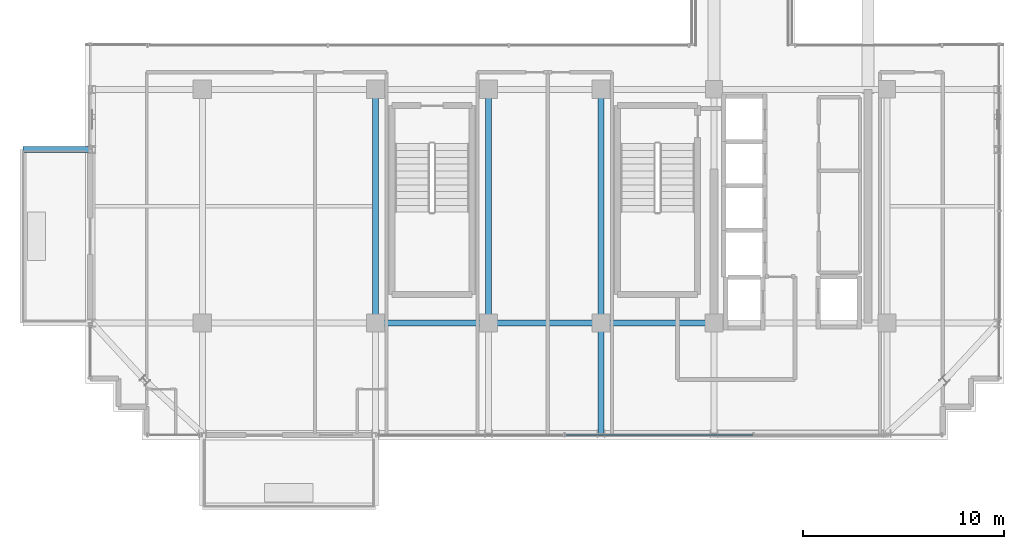
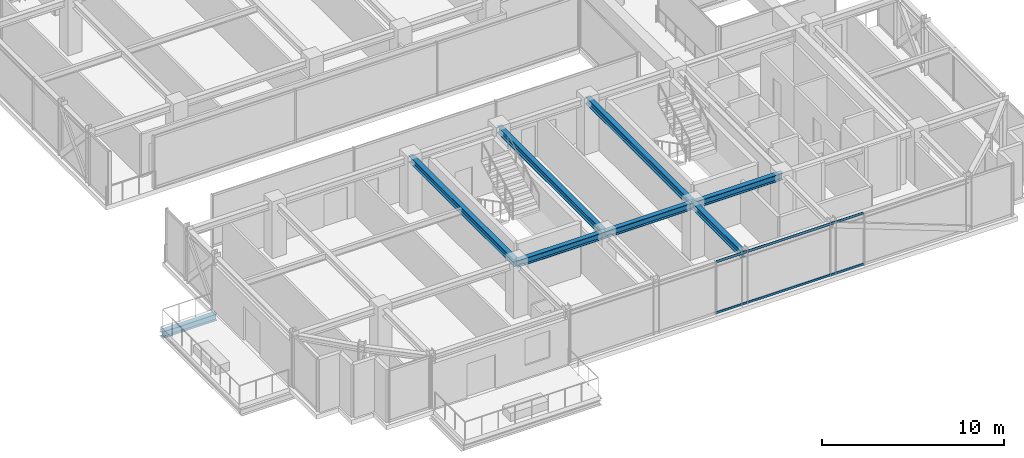
# One storey, part 8 of 37: 8 beams, 2 members, 1 element without a shape of its own.
"""IFC4 building model written with IfcOpenShell, lengths in metres."""

from ifc_helpers import new_model, si_unit, direction, frame, origin, origin_2d, place, context, subcontext, project, spatial, hollow_rectangle, i_section, extrude, source, transform, mapped, material, material_profile, profile_set, type_object, element, aggregate, save


model = new_model("IFC4")

# Units and contexts
model_context = context("Model", 3, precision=1e-05, world=origin(), true_north=direction((0.0, 1.0)))
body_context = subcontext(model_context, "Body", "Model", "MODEL_VIEW")
ifc_project = project(units=[si_unit("LENGTHUNIT", "METRE"), si_unit("AREAUNIT", "SQUARE_METRE"), si_unit("VOLUMEUNIT", "CUBIC_METRE"), si_unit("PLANEANGLEUNIT", "RADIAN"), si_unit("MASSUNIT", "GRAM", prefix="KILO")], contexts=[model_context])

# Site, building, storey
site_placement = place(None, origin())
site = spatial("IfcSite", under=ifc_project, at=site_placement, CompositionType="ELEMENT")
building_placement = place(site_placement, origin())
building = spatial("IfcBuilding", under=site, at=building_placement, Name="Nahalor Promenade Grand Hotel", CompositionType="ELEMENT")
storey_placement = place(building_placement, frame((0.0, 0.0, 292.64990234375)))
storey = spatial("IfcBuildingStorey", under=building, at=storey_placement, Name="L75", CompositionType="ELEMENT", Elevation=292.64990234375)

# Beams
ifc_material_1 = material(Name="Steel S355JR", Category="steel")
ifc_material_profile_1 = material_profile(ifc_material_1, i_section(OverallWidth=0.3, OverallDepth=0.45, WebThickness=0.014, FlangeThickness=0.026, at=origin_2d()), Name="HEB 450")
ifc_profile_set_1 = profile_set([ifc_material_profile_1], Name="Steel S355JR")
beam_type_1 = type_object("IfcBeamType", Name="Beam-Outrigger-HEB450", PredefinedType="BEAM", material=ifc_profile_set_1)
shared_shape_1 = source(origin(), body_context, "Body", "SweptSolid", [
    extrude(i_section(OverallWidth=0.3, OverallDepth=0.45, WebThickness=0.014, FlangeThickness=0.026, at=origin_2d()), origin(), (0.0, 0.0, 1.0), 3.419921875),
])
beam_1_placement = place(storey_placement, frame((-25.89990234375, -8.39990234375, -0.5048828125), z_axis=(1.0, 0.0, 0.0), x_axis=(0.0, 1.0, 0.0)))
element("IfcBeam", 1, at=beam_1_placement, inside=storey, type_object=beam_type_1, Name="BM-L75-BC-02-2", PredefinedType="BEAM", context=body_context, shape_type="MappedRepresentation", body=[
    mapped(shared_shape_1, transform((0.0, 0.0, 0.0), scale=1.0)),
])
ifc_material_profile_2 = material_profile(ifc_material_1, i_section(OverallWidth=0.3, OverallDepth=0.45, WebThickness=0.014, FlangeThickness=0.026, at=origin_2d()), Name="HEB 450")
ifc_profile_set_2 = profile_set([ifc_material_profile_2], Name="Steel S355JR")
beam_type_2 = type_object("IfcBeamType", Name="Beam-Girder-HEB450", PredefinedType="BEAM", material=ifc_profile_set_2)
shared_shape_2 = source(origin(), body_context, "Body", "SweptSolid", [
    extrude(i_section(OverallWidth=0.3, OverallDepth=0.45, WebThickness=0.014, FlangeThickness=0.026, at=origin_2d()), origin(), (0.0, 0.0, 1.0), 5.599853515625),
])
for number, where, z_axis, x_axis, name in (
    (2, (-8.39990234375, -17.0, 3.3251953125), (1.0, 0.0, 0.0), (0.0, 1.0, 0.0), "BM-L75-GX-0-2"),
    (3, (2.800048828125, -17.0, 3.3251953125), (1.0, 0.0, 0.0), (0.0, 1.0, 0.0), "BM-L75-GX-0-4"),
):
    element("IfcBeam", number, at=place(storey_placement, frame(where, z_axis=z_axis, x_axis=x_axis)), inside=storey, type_object=beam_type_2, Name=name, PredefinedType="BEAM", context=body_context, shape_type="MappedRepresentation", body=[
        mapped(shared_shape_2, transform((0.0, 0.0, 0.0), scale=1.0)),
    ])
shared_shape_3 = source(origin(), body_context, "Body", "SweptSolid", [
    extrude(i_section(OverallWidth=0.3, OverallDepth=0.45, WebThickness=0.014, FlangeThickness=0.026, at=origin_2d()), origin(), (0.0, 0.0, 1.0), 5.60009765625),
])
beam_2_placement = place(storey_placement, frame((-2.800048828125, -17.0, 3.3251953125), z_axis=(1.0, 0.0, 0.0), x_axis=(0.0, 1.0, 0.0)))
element("IfcBeam", 4, at=beam_2_placement, inside=storey, type_object=beam_type_2, Name="BM-L75-GX-0-3", PredefinedType="BEAM", context=body_context, shape_type="MappedRepresentation", body=[
    mapped(shared_shape_3, transform((0.0, 0.0, 0.0), scale=1.0)),
])
shared_shape_4 = source(origin(), body_context, "Body", "SweptSolid", [
    extrude(i_section(OverallWidth=0.3, OverallDepth=0.45, WebThickness=0.014, FlangeThickness=0.026, at=origin_2d()), origin(), (0.0, 0.0, 1.0), 11.60009765625),
])
for number, where, z_axis, x_axis, name in (
    (5, (-8.39990234375, -17.0, 3.3251953125), (0.0, 1.0, 0.0), (-1.0, 0.0, 0.0), "BM-L75-GY-1-1"),
    (6, (-2.800048828125, -17.0, 3.3251953125), (0.0, 1.0, 0.0), (-1.0, 0.0, 0.0), "BM-L75-GY-2-1"),
    (7, (2.800048828125, -17.0, 3.3251953125), (0.0, 1.0, 0.0), (-1.0, 0.0, 0.0), "BM-L75-GY-3-1"),
):
    element("IfcBeam", number, at=place(storey_placement, frame(where, z_axis=z_axis, x_axis=x_axis)), inside=storey, type_object=beam_type_2, Name=name, PredefinedType="BEAM", context=body_context, shape_type="MappedRepresentation", body=[
        mapped(shared_shape_4, transform((0.0, 0.0, 0.0), scale=1.0)),
    ])
shared_shape_5 = source(origin(), body_context, "Body", "SweptSolid", [
    extrude(i_section(OverallWidth=0.3, OverallDepth=0.45, WebThickness=0.014, FlangeThickness=0.026, at=origin_2d()), origin(), (0.0, 0.0, 1.0), 5.47998046875),
])
beam_3_placement = place(storey_placement, frame((2.800048828125, -22.47998046875, 3.3251953125), z_axis=(0.0, 1.0, 0.0), x_axis=(-1.0, 0.0, 0.0)))
element("IfcBeam", 8, at=beam_3_placement, inside=storey, type_object=beam_type_2, Name="BM-L75-GY-3-0", PredefinedType="BEAM", context=body_context, shape_type="MappedRepresentation", body=[
    mapped(shared_shape_5, transform((0.0, 0.0, 0.0), scale=1.0)),
])

# Curtain wall, members
ifc_material_2 = material(Name="Anodised Bronze Aluminium EN AW-6063 T6", Category="aluminium")
curtain_wall_type = type_object("IfcCurtainWallType", Name="CW3 Elliptical-Void Collar Unitised Curtain Wall", PredefinedType="USERDEFINED", material=ifc_material_2)
curtain_wall_placement = place(storey_placement, origin())
curtain_wall = element("IfcCurtainWall", 9, at=curtain_wall_placement, inside=storey, type_object=curtain_wall_type, Name="L75 Curtain Wall CW-L75-S-3", ObjectType="UNITISED_CURTAIN_WALL", PredefinedType="USERDEFINED")
ifc_material_profile_3 = material_profile(ifc_material_2, hollow_rectangle(XDim=0.07, YDim=0.14, WallThickness=0.004, at=origin_2d()), Name="CWT 70x140x4")
ifc_profile_set_3 = profile_set([ifc_material_profile_3], Name="Anodised Bronze Aluminium EN AW-6063 T6")
member_type = type_object("IfcMemberType", Name="CWT3 Void Collar Transom 70x140", PredefinedType="USERDEFINED", material=ifc_profile_set_3)
shared_shape_6 = source(origin(), body_context, "Body", "SweptSolid", [
    extrude(hollow_rectangle(XDim=0.07, YDim=0.14, WallThickness=0.004, at=origin_2d()), origin(), (0.0, 0.0, 1.0), 9.316650390625),
])
member_1_placement = place(storey_placement, frame((1.021728515625, -22.56005859375, 0.070068359375), z_axis=(1.0, 0.0, 0.0), x_axis=(0.0, 1.0, 0.0)))
member_1 = element("IfcMember", 10, at=member_1_placement, type_object=member_type, Name="CW-L75-S-3 Transom 1-0", ObjectType="TRANSOM", PredefinedType="USERDEFINED", context=body_context, shape_type="MappedRepresentation", body=[
    mapped(shared_shape_6, transform((0.0, 0.0, 0.0), scale=1.0)),
])
member_2_placement = place(storey_placement, frame((1.021728515625, -22.56005859375, 3.47998046875), z_axis=(1.0, 0.0, 0.0), x_axis=(0.0, 1.0, 0.0)))
member_2 = element("IfcMember", 11, at=member_2_placement, type_object=member_type, Name="CW-L75-S-3 Transom 1-1", ObjectType="TRANSOM", PredefinedType="USERDEFINED", context=body_context, shape_type="MappedRepresentation", body=[
    mapped(shared_shape_6, transform((0.0, 0.0, 0.0), scale=1.0)),
])
aggregate(curtain_wall, [member_1, member_2])

save(model, "model.ifc")
